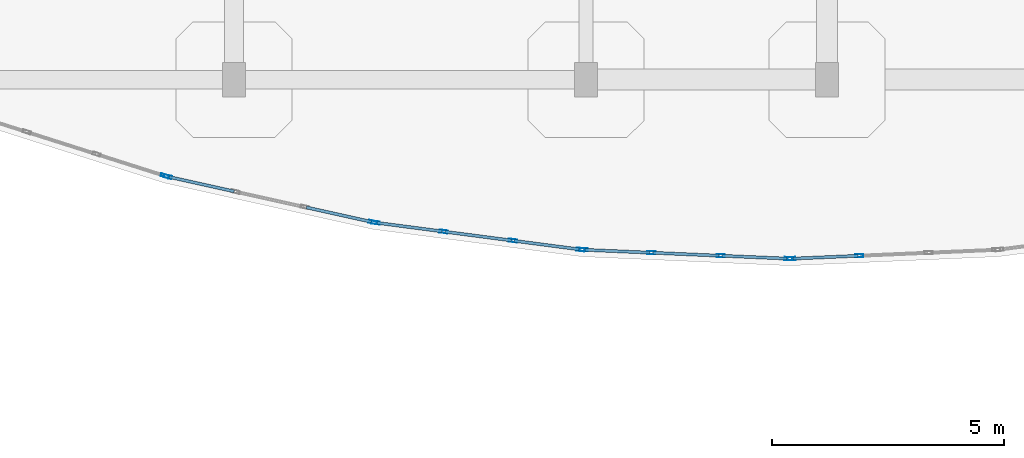
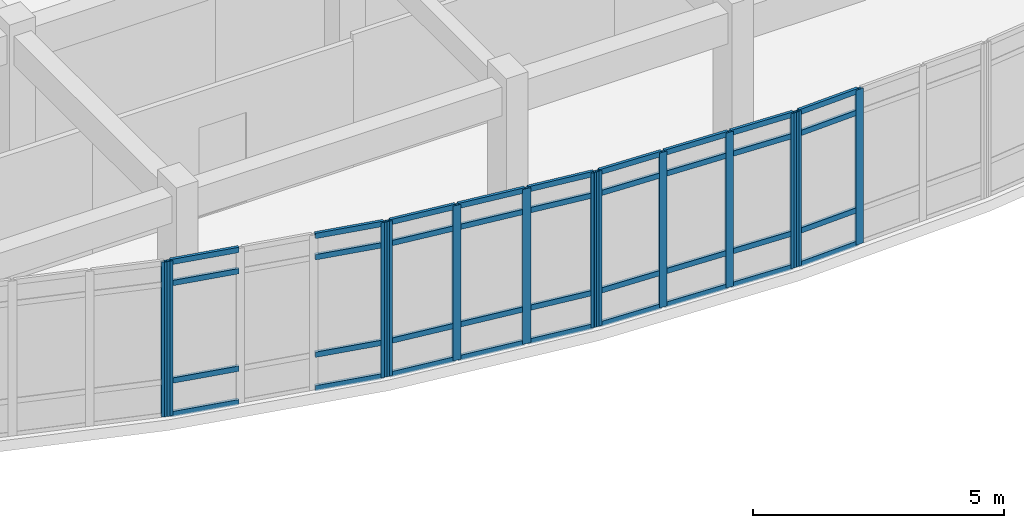
# One storey, part 52 of 91: 49 members, 5 elements without a shape of their own.
"""IFC4 building model written with IfcOpenShell, lengths in metres."""

from ifc_helpers import new_model, si_unit, direction, frame, origin, origin_2d, place, context, subcontext, project, spatial, hollow_rectangle, extrude, material, layer, layer_set, material_profile, profile_set, type_object, element, aggregate, save


model = new_model("IFC4")

# Units and contexts
model_context = context("Model", 3, precision=1e-05, world=origin(), true_north=direction((0.0, 1.0)))
body_context = subcontext(model_context, "Body", "Model", "MODEL_VIEW")
ifc_project = project(units=[si_unit("LENGTHUNIT", "METRE"), si_unit("AREAUNIT", "SQUARE_METRE"), si_unit("VOLUMEUNIT", "CUBIC_METRE"), si_unit("PLANEANGLEUNIT", "RADIAN"), si_unit("MASSUNIT", "GRAM", prefix="KILO")], contexts=[model_context])

# Site, building, storey
site_placement = place(None, origin())
site = spatial("IfcSite", under=ifc_project, at=site_placement, CompositionType="ELEMENT")
building_placement = place(site_placement, origin())
building = spatial("IfcBuilding", under=site, at=building_placement, Name="Valcora Specialist Clinic", CompositionType="ELEMENT")
storey_placement = place(building_placement, frame((0.0, 0.0, 13.60009765625)))
storey = spatial("IfcBuildingStorey", under=building, at=storey_placement, Name="L03", CompositionType="ELEMENT", Elevation=13.60009765625)

# Curtain wall, members
ifc_material = material(Name="Anodized Bronze Aluminium 6063-T6", Category="aluminium")
ifc_layer = layer(ifc_material, 0.175048828125)
ifc_layer_set = layer_set([ifc_layer], Name="Anodized Bronze Aluminium 6063-T6")
curtain_wall_type = type_object("IfcCurtainWallType", Name="TY-CW-ARC40", PredefinedType="NOTDEFINED", material=ifc_layer_set)
curtain_wall_1_placement = place(storey_placement, origin())
curtain_wall_1 = element("IfcCurtainWall", 1, at=curtain_wall_1_placement, inside=storey, type_object=curtain_wall_type, Name="Curtain wall CW-L03-120", PredefinedType="NOTDEFINED")
ifc_material_profile_1 = material_profile(ifc_material, hollow_rectangle(XDim=0.06494140625, YDim=0.175048828125, WallThickness=0.00390625, at=origin_2d()), Name="AL-MUL-65X175")
ifc_profile_set_1 = profile_set([ifc_material_profile_1], Name="Anodized Bronze Aluminium 6063-T6")
member_type_1 = type_object("IfcMemberType", Name="TY-CWM-65X175", PredefinedType="MULLION", material=ifc_profile_set_1)
member_1_placement = place(storey_placement, frame((111.895751953125, 71.0, 0.0), z_axis=(0.0, 0.0, 1.0), x_axis=(0.043306780525, -0.999061821291, 0.0)))
member_1 = element("IfcMember", 2, at=member_1_placement, type_object=member_type_1, Name="CW-ARC-40 mullion 3", PredefinedType="MULLION", context=body_context, shape_type="SweptSolid", body=[
    extrude(hollow_rectangle(XDim=0.06494140625, YDim=0.175048828125, WallThickness=0.00390625, at=origin_2d()), origin(), (0.0, 0.0, 1.0), 3.77490234375),
])
member_2_placement = place(storey_placement, frame((110.432373046875, 70.9365234375, 0.0), z_axis=(0.0, 0.0, 1.0), x_axis=(0.043306780525, -0.999061821291, 0.0)))
member_2 = element("IfcMember", 3, at=member_2_placement, type_object=member_type_1, Name="CW-ARC-40 mullion 4", PredefinedType="MULLION", context=body_context, shape_type="SweptSolid", body=[
    extrude(hollow_rectangle(XDim=0.06494140625, YDim=0.175048828125, WallThickness=0.00390625, at=origin_2d()), origin(), (0.0, 0.0, 1.0), 3.77490234375),
])

curtain_wall_2_placement = place(storey_placement, origin())
curtain_wall_2 = element("IfcCurtainWall", 4, at=curtain_wall_2_placement, inside=storey, type_object=curtain_wall_type, Name="Curtain wall CW-L03-121", PredefinedType="NOTDEFINED")
member_3_placement = place(storey_placement, frame((110.367431640625, 70.9365234375, 0.0), z_axis=(0.0, 0.0, 1.0), x_axis=(-0.043306780525, -0.999061821291, 0.0)))
member_3 = element("IfcMember", 5, at=member_3_placement, type_object=member_type_1, Name="CW-ARC-40 mullion 1", PredefinedType="MULLION", context=body_context, shape_type="SweptSolid", body=[
    extrude(hollow_rectangle(XDim=0.06494140625, YDim=0.175048828125, WallThickness=0.00390625, at=origin_2d()), origin(), (0.0, 0.0, 1.0), 3.77490234375),
])
member_4_placement = place(storey_placement, frame((108.904296875, 71.0, 0.0), z_axis=(0.0, 0.0, 1.0), x_axis=(-0.043306780525, -0.999061821291, 0.0)))
member_4 = element("IfcMember", 6, at=member_4_placement, type_object=member_type_1, Name="CW-ARC-40 mullion 2", PredefinedType="MULLION", context=body_context, shape_type="SweptSolid", body=[
    extrude(hollow_rectangle(XDim=0.06494140625, YDim=0.175048828125, WallThickness=0.00390625, at=origin_2d()), origin(), (0.0, 0.0, 1.0), 3.77490234375),
])
member_5_placement = place(storey_placement, frame((107.40869140625, 71.064697265625, 0.0), z_axis=(0.0, 0.0, 1.0), x_axis=(-0.043306780525, -0.999061821291, 0.0)))
member_5 = element("IfcMember", 7, at=member_5_placement, type_object=member_type_1, Name="CW-ARC-40 mullion 3", PredefinedType="MULLION", context=body_context, shape_type="SweptSolid", body=[
    extrude(hollow_rectangle(XDim=0.06494140625, YDim=0.175048828125, WallThickness=0.00390625, at=origin_2d()), origin(), (0.0, 0.0, 1.0), 3.77490234375),
])
member_6_placement = place(storey_placement, frame((105.945556640625, 71.128173828125, 0.0), z_axis=(0.0, 0.0, 1.0), x_axis=(-0.043306780525, -0.999061821291, 0.0)))
member_6 = element("IfcMember", 8, at=member_6_placement, type_object=member_type_1, Name="CW-ARC-40 mullion 4", PredefinedType="MULLION", context=body_context, shape_type="SweptSolid", body=[
    extrude(hollow_rectangle(XDim=0.06494140625, YDim=0.175048828125, WallThickness=0.00390625, at=origin_2d()), origin(), (0.0, 0.0, 1.0), 3.77490234375),
])

curtain_wall_3_placement = place(storey_placement, origin())
curtain_wall_3 = element("IfcCurtainWall", 9, at=curtain_wall_3_placement, inside=storey, type_object=curtain_wall_type, Name="Curtain wall CW-L03-122", PredefinedType="NOTDEFINED")
member_7_placement = place(storey_placement, frame((105.880859375, 71.1337890625, 0.0), z_axis=(0.0, 0.0, 1.0), x_axis=(-0.129999492259, -0.991514060421, 0.0)))
member_7 = element("IfcMember", 10, at=member_7_placement, type_object=member_type_1, Name="CW-ARC-40 mullion 1", PredefinedType="MULLION", context=body_context, shape_type="SweptSolid", body=[
    extrude(hollow_rectangle(XDim=0.06494140625, YDim=0.175048828125, WallThickness=0.00390625, at=origin_2d()), origin(), (0.0, 0.0, 1.0), 3.77490234375),
])
member_8_placement = place(storey_placement, frame((104.417236328125, 71.32568359375, 0.0), z_axis=(0.0, 0.0, 1.0), x_axis=(-0.129999492259, -0.991514060421, 0.0)))
member_8 = element("IfcMember", 11, at=member_8_placement, type_object=member_type_1, Name="CW-ARC-40 mullion 2", PredefinedType="MULLION", context=body_context, shape_type="SweptSolid", body=[
    extrude(hollow_rectangle(XDim=0.06494140625, YDim=0.175048828125, WallThickness=0.00390625, at=origin_2d()), origin(), (0.0, 0.0, 1.0), 3.77490234375),
])
member_9_placement = place(storey_placement, frame((102.921630859375, 71.521728515625, 0.0), z_axis=(0.0, 0.0, 1.0), x_axis=(-0.129999492259, -0.991514060421, 0.0)))
member_9 = element("IfcMember", 12, at=member_9_placement, type_object=member_type_1, Name="CW-ARC-40 mullion 3", PredefinedType="MULLION", context=body_context, shape_type="SweptSolid", body=[
    extrude(hollow_rectangle(XDim=0.06494140625, YDim=0.175048828125, WallThickness=0.00390625, at=origin_2d()), origin(), (0.0, 0.0, 1.0), 3.77490234375),
])
member_10_placement = place(storey_placement, frame((101.458251953125, 71.713623046875, 0.0), z_axis=(0.0, 0.0, 1.0), x_axis=(-0.129999492259, -0.991514060421, 0.0)))
member_10 = element("IfcMember", 13, at=member_10_placement, type_object=member_type_1, Name="CW-ARC-40 mullion 4", PredefinedType="MULLION", context=body_context, shape_type="SweptSolid", body=[
    extrude(hollow_rectangle(XDim=0.06494140625, YDim=0.175048828125, WallThickness=0.00390625, at=origin_2d()), origin(), (0.0, 0.0, 1.0), 3.77490234375),
])

curtain_wall_4_placement = place(storey_placement, origin())
curtain_wall_4 = element("IfcCurtainWall", 14, at=curtain_wall_4_placement, inside=storey, type_object=curtain_wall_type, Name="Curtain wall CW-L03-123", PredefinedType="NOTDEFINED")
member_11_placement = place(storey_placement, frame((101.394287109375, 71.724853515625, 0.0), z_axis=(0.0, 0.0, 1.0), x_axis=(-0.216518052372, -0.976278614432, 0.0)))
member_11 = element("IfcMember", 15, at=member_11_placement, type_object=member_type_1, Name="CW-ARC-40 mullion 1", PredefinedType="MULLION", context=body_context, shape_type="SweptSolid", body=[
    extrude(hollow_rectangle(XDim=0.06494140625, YDim=0.175048828125, WallThickness=0.00390625, at=origin_2d()), origin(), (0.0, 0.0, 1.0), 3.77490234375),
])
member_12_placement = place(storey_placement, frame((96.970947265625, 72.7060546875, 0.0), z_axis=(0.0, 0.0, 1.0), x_axis=(-0.216518052372, -0.976278614432, 0.0)))
member_12 = element("IfcMember", 16, at=member_12_placement, type_object=member_type_1, Name="CW-ARC-40 mullion 4", PredefinedType="MULLION", context=body_context, shape_type="SweptSolid", body=[
    extrude(hollow_rectangle(XDim=0.06494140625, YDim=0.175048828125, WallThickness=0.00390625, at=origin_2d()), origin(), (0.0, 0.0, 1.0), 3.77490234375),
])

# Curtain wall, member
curtain_wall_5_placement = place(storey_placement, origin())
curtain_wall_5 = element("IfcCurtainWall", 17, at=curtain_wall_5_placement, inside=storey, type_object=curtain_wall_type, Name="Curtain wall CW-L03-124", PredefinedType="NOTDEFINED")
member_13_placement = place(storey_placement, frame((96.908203125, 72.722900390625, 0.0), z_axis=(0.0, 0.0, 1.0), x_axis=(-0.303233270958, -0.952916356972, 0.0)))
member_13 = element("IfcMember", 18, at=member_13_placement, type_object=member_type_1, Name="CW-ARC-40 mullion 1", PredefinedType="MULLION", context=body_context, shape_type="SweptSolid", body=[
    extrude(hollow_rectangle(XDim=0.06494140625, YDim=0.175048828125, WallThickness=0.00390625, at=origin_2d()), origin(), (0.0, 0.0, 1.0), 3.77490234375),
])
aggregate(curtain_wall_5, [member_13])

# Member
ifc_material_profile_2 = material_profile(ifc_material, hollow_rectangle(XDim=0.06494140625, YDim=0.1298828125, WallThickness=0.00390625, at=origin_2d()), Name="AL-TRN-65X130")
ifc_profile_set_2 = profile_set([ifc_material_profile_2], Name="Anodized Bronze Aluminium 6063-T6")
member_type_2 = type_object("IfcMemberType", Name="TY-CWT-65X130", PredefinedType="USERDEFINED", material=ifc_profile_set_2)
member_14_placement = place(storey_placement, frame((111.86328125, 70.99853515625, 0.032470703125), z_axis=(-0.999064039995, -0.043255565977, 0.0), x_axis=(0.043255565977, -0.999064039995, 0.0)))
member_14 = element("IfcMember", 19, at=member_14_placement, type_object=member_type_2, Name="CW-ARC-40 transom 3.1", ObjectType="TRANSOM", PredefinedType="USERDEFINED", context=body_context, shape_type="SweptSolid", body=[
    extrude(hollow_rectangle(XDim=0.06494140625, YDim=0.1298828125, WallThickness=0.00390625, at=origin_2d()), origin(), (0.0, 0.0, 1.0), 1.399658203125),
])

member_15_placement = place(storey_placement, frame((111.86328125, 70.99853515625, 0.849853515625), z_axis=(-0.999064039995, -0.043255565977, 0.0), x_axis=(0.043255565977, -0.999064039995, 0.0)))
member_15 = element("IfcMember", 20, at=member_15_placement, type_object=member_type_2, Name="CW-ARC-40 transom 3.2", ObjectType="TRANSOM", PredefinedType="USERDEFINED", context=body_context, shape_type="SweptSolid", body=[
    extrude(hollow_rectangle(XDim=0.06494140625, YDim=0.1298828125, WallThickness=0.00390625, at=origin_2d()), origin(), (0.0, 0.0, 1.0), 1.399658203125),
])

member_16_placement = place(storey_placement, frame((111.86328125, 70.99853515625, 3.224853515625), z_axis=(-0.999064039995, -0.043255565977, 0.0), x_axis=(0.043255565977, -0.999064039995, 0.0)))
member_16 = element("IfcMember", 21, at=member_16_placement, type_object=member_type_2, Name="CW-ARC-40 transom 3.3", ObjectType="TRANSOM", PredefinedType="USERDEFINED", context=body_context, shape_type="SweptSolid", body=[
    extrude(hollow_rectangle(XDim=0.06494140625, YDim=0.1298828125, WallThickness=0.00390625, at=origin_2d()), origin(), (0.0, 0.0, 1.0), 1.399658203125),
])

member_17_placement = place(storey_placement, frame((111.86328125, 70.99853515625, 3.742431640625), z_axis=(-0.999064039995, -0.043255565977, 0.0), x_axis=(0.043255565977, -0.999064039995, 0.0)))
member_17 = element("IfcMember", 22, at=member_17_placement, type_object=member_type_2, Name="CW-ARC-40 transom 3.4", ObjectType="TRANSOM", PredefinedType="USERDEFINED", context=body_context, shape_type="SweptSolid", body=[
    extrude(hollow_rectangle(XDim=0.06494140625, YDim=0.1298828125, WallThickness=0.00390625, at=origin_2d()), origin(), (0.0, 0.0, 1.0), 1.399658203125),
])

aggregate(curtain_wall_1, [member_1, member_2, member_14, member_15, member_16, member_17])

member_18_placement = place(storey_placement, frame((110.3349609375, 70.93798828125, 0.032470703125), z_axis=(-0.999063713567, 0.043263104761, 0.0), x_axis=(-0.043263104761, -0.999063713567, 0.0)))
member_18 = element("IfcMember", 23, at=member_18_placement, type_object=member_type_2, Name="CW-ARC-40 transom 1.1", ObjectType="TRANSOM", PredefinedType="USERDEFINED", context=body_context, shape_type="SweptSolid", body=[
    extrude(hollow_rectangle(XDim=0.06494140625, YDim=0.1298828125, WallThickness=0.00390625, at=origin_2d()), origin(), (0.0, 0.0, 1.0), 1.3994140625),
])

member_19_placement = place(storey_placement, frame((110.3349609375, 70.93798828125, 0.849853515625), z_axis=(-0.999063713567, 0.043263104761, 0.0), x_axis=(-0.043263104761, -0.999063713567, 0.0)))
member_19 = element("IfcMember", 24, at=member_19_placement, type_object=member_type_2, Name="CW-ARC-40 transom 1.2", ObjectType="TRANSOM", PredefinedType="USERDEFINED", context=body_context, shape_type="SweptSolid", body=[
    extrude(hollow_rectangle(XDim=0.06494140625, YDim=0.1298828125, WallThickness=0.00390625, at=origin_2d()), origin(), (0.0, 0.0, 1.0), 1.3994140625),
])

member_20_placement = place(storey_placement, frame((110.3349609375, 70.93798828125, 3.224853515625), z_axis=(-0.999063713567, 0.043263104761, 0.0), x_axis=(-0.043263104761, -0.999063713567, 0.0)))
member_20 = element("IfcMember", 25, at=member_20_placement, type_object=member_type_2, Name="CW-ARC-40 transom 1.3", ObjectType="TRANSOM", PredefinedType="USERDEFINED", context=body_context, shape_type="SweptSolid", body=[
    extrude(hollow_rectangle(XDim=0.06494140625, YDim=0.1298828125, WallThickness=0.00390625, at=origin_2d()), origin(), (0.0, 0.0, 1.0), 1.3994140625),
])

member_21_placement = place(storey_placement, frame((110.3349609375, 70.93798828125, 3.742431640625), z_axis=(-0.999063713567, 0.043263104761, 0.0), x_axis=(-0.043263104761, -0.999063713567, 0.0)))
member_21 = element("IfcMember", 26, at=member_21_placement, type_object=member_type_2, Name="CW-ARC-40 transom 1.4", ObjectType="TRANSOM", PredefinedType="USERDEFINED", context=body_context, shape_type="SweptSolid", body=[
    extrude(hollow_rectangle(XDim=0.06494140625, YDim=0.1298828125, WallThickness=0.00390625, at=origin_2d()), origin(), (0.0, 0.0, 1.0), 1.3994140625),
])

member_22_placement = place(storey_placement, frame((108.871826171875, 71.001220703125, 0.032470703125), z_axis=(-0.999054549301, 0.043474216736, 0.0), x_axis=(-0.043474216736, -0.999054549301, 0.0)))
member_22 = element("IfcMember", 27, at=member_22_placement, type_object=member_type_2, Name="CW-ARC-40 transom 2.1", ObjectType="TRANSOM", PredefinedType="USERDEFINED", context=body_context, shape_type="SweptSolid", body=[
    extrude(hollow_rectangle(XDim=0.06494140625, YDim=0.1298828125, WallThickness=0.00390625, at=origin_2d()), origin(), (0.0, 0.0, 1.0), 1.43212890625),
])

member_23_placement = place(storey_placement, frame((108.871826171875, 71.001220703125, 0.849853515625), z_axis=(-0.999054549301, 0.043474216736, 0.0), x_axis=(-0.043474216736, -0.999054549301, 0.0)))
member_23 = element("IfcMember", 28, at=member_23_placement, type_object=member_type_2, Name="CW-ARC-40 transom 2.2", ObjectType="TRANSOM", PredefinedType="USERDEFINED", context=body_context, shape_type="SweptSolid", body=[
    extrude(hollow_rectangle(XDim=0.06494140625, YDim=0.1298828125, WallThickness=0.00390625, at=origin_2d()), origin(), (0.0, 0.0, 1.0), 1.43212890625),
])

member_24_placement = place(storey_placement, frame((108.871826171875, 71.001220703125, 3.224853515625), z_axis=(-0.999054549301, 0.043474216736, 0.0), x_axis=(-0.043474216736, -0.999054549301, 0.0)))
member_24 = element("IfcMember", 29, at=member_24_placement, type_object=member_type_2, Name="CW-ARC-40 transom 2.3", ObjectType="TRANSOM", PredefinedType="USERDEFINED", context=body_context, shape_type="SweptSolid", body=[
    extrude(hollow_rectangle(XDim=0.06494140625, YDim=0.1298828125, WallThickness=0.00390625, at=origin_2d()), origin(), (0.0, 0.0, 1.0), 1.43212890625),
])

member_25_placement = place(storey_placement, frame((108.871826171875, 71.001220703125, 3.742431640625), z_axis=(-0.999054549301, 0.043474216736, 0.0), x_axis=(-0.043474216736, -0.999054549301, 0.0)))
member_25 = element("IfcMember", 30, at=member_25_placement, type_object=member_type_2, Name="CW-ARC-40 transom 2.4", ObjectType="TRANSOM", PredefinedType="USERDEFINED", context=body_context, shape_type="SweptSolid", body=[
    extrude(hollow_rectangle(XDim=0.06494140625, YDim=0.1298828125, WallThickness=0.00390625, at=origin_2d()), origin(), (0.0, 0.0, 1.0), 1.43212890625),
])

member_26_placement = place(storey_placement, frame((107.376220703125, 71.066162109375, 0.032470703125), z_axis=(-0.999063713567, 0.043263104761, 0.0), x_axis=(-0.043263104761, -0.999063713567, 0.0)))
member_26 = element("IfcMember", 31, at=member_26_placement, type_object=member_type_2, Name="CW-ARC-40 transom 3.1", ObjectType="TRANSOM", PredefinedType="USERDEFINED", context=body_context, shape_type="SweptSolid", body=[
    extrude(hollow_rectangle(XDim=0.06494140625, YDim=0.1298828125, WallThickness=0.00390625, at=origin_2d()), origin(), (0.0, 0.0, 1.0), 1.3994140625),
])

member_27_placement = place(storey_placement, frame((107.376220703125, 71.066162109375, 0.849853515625), z_axis=(-0.999063713567, 0.043263104761, 0.0), x_axis=(-0.043263104761, -0.999063713567, 0.0)))
member_27 = element("IfcMember", 32, at=member_27_placement, type_object=member_type_2, Name="CW-ARC-40 transom 3.2", ObjectType="TRANSOM", PredefinedType="USERDEFINED", context=body_context, shape_type="SweptSolid", body=[
    extrude(hollow_rectangle(XDim=0.06494140625, YDim=0.1298828125, WallThickness=0.00390625, at=origin_2d()), origin(), (0.0, 0.0, 1.0), 1.3994140625),
])

member_28_placement = place(storey_placement, frame((107.376220703125, 71.066162109375, 3.224853515625), z_axis=(-0.999063713567, 0.043263104761, 0.0), x_axis=(-0.043263104761, -0.999063713567, 0.0)))
member_28 = element("IfcMember", 33, at=member_28_placement, type_object=member_type_2, Name="CW-ARC-40 transom 3.3", ObjectType="TRANSOM", PredefinedType="USERDEFINED", context=body_context, shape_type="SweptSolid", body=[
    extrude(hollow_rectangle(XDim=0.06494140625, YDim=0.1298828125, WallThickness=0.00390625, at=origin_2d()), origin(), (0.0, 0.0, 1.0), 1.3994140625),
])

member_29_placement = place(storey_placement, frame((107.376220703125, 71.066162109375, 3.742431640625), z_axis=(-0.999063713567, 0.043263104761, 0.0), x_axis=(-0.043263104761, -0.999063713567, 0.0)))
member_29 = element("IfcMember", 34, at=member_29_placement, type_object=member_type_2, Name="CW-ARC-40 transom 3.4", ObjectType="TRANSOM", PredefinedType="USERDEFINED", context=body_context, shape_type="SweptSolid", body=[
    extrude(hollow_rectangle(XDim=0.06494140625, YDim=0.1298828125, WallThickness=0.00390625, at=origin_2d()), origin(), (0.0, 0.0, 1.0), 1.3994140625),
])

aggregate(curtain_wall_2, [member_3, member_4, member_5, member_6, member_18, member_19, member_20, member_21, member_22, member_23, member_24, member_25, member_26, member_27, member_28, member_29])

member_30_placement = place(storey_placement, frame((105.8486328125, 71.137939453125, 0.032470703125), z_axis=(-0.991500752316, 0.130100953715, 0.0), x_axis=(-0.130100953715, -0.991500752316, 0.0)))
member_30 = element("IfcMember", 35, at=member_30_placement, type_object=member_type_2, Name="CW-ARC-40 transom 1.1", ObjectType="TRANSOM", PredefinedType="USERDEFINED", context=body_context, shape_type="SweptSolid", body=[
    extrude(hollow_rectangle(XDim=0.06494140625, YDim=0.1298828125, WallThickness=0.00390625, at=origin_2d()), origin(), (0.0, 0.0, 1.0), 1.4111328125),
])

member_31_placement = place(storey_placement, frame((105.8486328125, 71.137939453125, 0.849853515625), z_axis=(-0.991500752316, 0.130100953715, 0.0), x_axis=(-0.130100953715, -0.991500752316, 0.0)))
member_31 = element("IfcMember", 36, at=member_31_placement, type_object=member_type_2, Name="CW-ARC-40 transom 1.2", ObjectType="TRANSOM", PredefinedType="USERDEFINED", context=body_context, shape_type="SweptSolid", body=[
    extrude(hollow_rectangle(XDim=0.06494140625, YDim=0.1298828125, WallThickness=0.00390625, at=origin_2d()), origin(), (0.0, 0.0, 1.0), 1.4111328125),
])

member_32_placement = place(storey_placement, frame((105.8486328125, 71.137939453125, 3.224853515625), z_axis=(-0.991500752316, 0.130100953715, 0.0), x_axis=(-0.130100953715, -0.991500752316, 0.0)))
member_32 = element("IfcMember", 37, at=member_32_placement, type_object=member_type_2, Name="CW-ARC-40 transom 1.3", ObjectType="TRANSOM", PredefinedType="USERDEFINED", context=body_context, shape_type="SweptSolid", body=[
    extrude(hollow_rectangle(XDim=0.06494140625, YDim=0.1298828125, WallThickness=0.00390625, at=origin_2d()), origin(), (0.0, 0.0, 1.0), 1.4111328125),
])

member_33_placement = place(storey_placement, frame((105.8486328125, 71.137939453125, 3.742431640625), z_axis=(-0.991500752316, 0.130100953715, 0.0), x_axis=(-0.130100953715, -0.991500752316, 0.0)))
member_33 = element("IfcMember", 38, at=member_33_placement, type_object=member_type_2, Name="CW-ARC-40 transom 1.4", ObjectType="TRANSOM", PredefinedType="USERDEFINED", context=body_context, shape_type="SweptSolid", body=[
    extrude(hollow_rectangle(XDim=0.06494140625, YDim=0.1298828125, WallThickness=0.00390625, at=origin_2d()), origin(), (0.0, 0.0, 1.0), 1.4111328125),
])

member_34_placement = place(storey_placement, frame((104.385009765625, 71.329833984375, 0.032470703125), z_axis=(-0.991504882499, 0.130069473668, 0.0), x_axis=(-0.130069473668, -0.991504882499, 0.0)))
member_34 = element("IfcMember", 39, at=member_34_placement, type_object=member_type_2, Name="CW-ARC-40 transom 2.1", ObjectType="TRANSOM", PredefinedType="USERDEFINED", context=body_context, shape_type="SweptSolid", body=[
    extrude(hollow_rectangle(XDim=0.06494140625, YDim=0.1298828125, WallThickness=0.00390625, at=origin_2d()), origin(), (0.0, 0.0, 1.0), 1.443359375),
])

member_35_placement = place(storey_placement, frame((104.385009765625, 71.329833984375, 0.849853515625), z_axis=(-0.991504882499, 0.130069473668, 0.0), x_axis=(-0.130069473668, -0.991504882499, 0.0)))
member_35 = element("IfcMember", 40, at=member_35_placement, type_object=member_type_2, Name="CW-ARC-40 transom 2.2", ObjectType="TRANSOM", PredefinedType="USERDEFINED", context=body_context, shape_type="SweptSolid", body=[
    extrude(hollow_rectangle(XDim=0.06494140625, YDim=0.1298828125, WallThickness=0.00390625, at=origin_2d()), origin(), (0.0, 0.0, 1.0), 1.443359375),
])

member_36_placement = place(storey_placement, frame((104.385009765625, 71.329833984375, 3.224853515625), z_axis=(-0.991504882499, 0.130069473668, 0.0), x_axis=(-0.130069473668, -0.991504882499, 0.0)))
member_36 = element("IfcMember", 41, at=member_36_placement, type_object=member_type_2, Name="CW-ARC-40 transom 2.3", ObjectType="TRANSOM", PredefinedType="USERDEFINED", context=body_context, shape_type="SweptSolid", body=[
    extrude(hollow_rectangle(XDim=0.06494140625, YDim=0.1298828125, WallThickness=0.00390625, at=origin_2d()), origin(), (0.0, 0.0, 1.0), 1.443359375),
])

member_37_placement = place(storey_placement, frame((104.385009765625, 71.329833984375, 3.742431640625), z_axis=(-0.991504882499, 0.130069473668, 0.0), x_axis=(-0.130069473668, -0.991504882499, 0.0)))
member_37 = element("IfcMember", 42, at=member_37_placement, type_object=member_type_2, Name="CW-ARC-40 transom 2.4", ObjectType="TRANSOM", PredefinedType="USERDEFINED", context=body_context, shape_type="SweptSolid", body=[
    extrude(hollow_rectangle(XDim=0.06494140625, YDim=0.1298828125, WallThickness=0.00390625, at=origin_2d()), origin(), (0.0, 0.0, 1.0), 1.443359375),
])

member_38_placement = place(storey_placement, frame((102.889404296875, 71.526123046875, 0.032470703125), z_axis=(-0.991520133728, 0.129953162379, 0.0), x_axis=(-0.129953162379, -0.991520133728, 0.0)))
member_38 = element("IfcMember", 43, at=member_38_placement, type_object=member_type_2, Name="CW-ARC-40 transom 3.1", ObjectType="TRANSOM", PredefinedType="USERDEFINED", context=body_context, shape_type="SweptSolid", body=[
    extrude(hollow_rectangle(XDim=0.06494140625, YDim=0.1298828125, WallThickness=0.00390625, at=origin_2d()), origin(), (0.0, 0.0, 1.0), 1.410888671875),
])

member_39_placement = place(storey_placement, frame((102.889404296875, 71.526123046875, 0.849853515625), z_axis=(-0.991520133728, 0.129953162379, 0.0), x_axis=(-0.129953162379, -0.991520133728, 0.0)))
member_39 = element("IfcMember", 44, at=member_39_placement, type_object=member_type_2, Name="CW-ARC-40 transom 3.2", ObjectType="TRANSOM", PredefinedType="USERDEFINED", context=body_context, shape_type="SweptSolid", body=[
    extrude(hollow_rectangle(XDim=0.06494140625, YDim=0.1298828125, WallThickness=0.00390625, at=origin_2d()), origin(), (0.0, 0.0, 1.0), 1.410888671875),
])

member_40_placement = place(storey_placement, frame((102.889404296875, 71.526123046875, 3.224853515625), z_axis=(-0.991520133728, 0.129953162379, 0.0), x_axis=(-0.129953162379, -0.991520133728, 0.0)))
member_40 = element("IfcMember", 45, at=member_40_placement, type_object=member_type_2, Name="CW-ARC-40 transom 3.3", ObjectType="TRANSOM", PredefinedType="USERDEFINED", context=body_context, shape_type="SweptSolid", body=[
    extrude(hollow_rectangle(XDim=0.06494140625, YDim=0.1298828125, WallThickness=0.00390625, at=origin_2d()), origin(), (0.0, 0.0, 1.0), 1.410888671875),
])

member_41_placement = place(storey_placement, frame((102.889404296875, 71.526123046875, 3.742431640625), z_axis=(-0.991520133728, 0.129953162379, 0.0), x_axis=(-0.129953162379, -0.991520133728, 0.0)))
member_41 = element("IfcMember", 46, at=member_41_placement, type_object=member_type_2, Name="CW-ARC-40 transom 3.4", ObjectType="TRANSOM", PredefinedType="USERDEFINED", context=body_context, shape_type="SweptSolid", body=[
    extrude(hollow_rectangle(XDim=0.06494140625, YDim=0.1298828125, WallThickness=0.00390625, at=origin_2d()), origin(), (0.0, 0.0, 1.0), 1.410888671875),
])

aggregate(curtain_wall_3, [member_7, member_8, member_9, member_10, member_30, member_31, member_32, member_33, member_34, member_35, member_36, member_37, member_38, member_39, member_40, member_41])

member_42_placement = place(storey_placement, frame((101.362548828125, 71.73193359375, 0.032470703125), z_axis=(-0.976283078872, 0.216497921256, 0.0), x_axis=(-0.216497921256, -0.976283078872, 0.0)))
member_42 = element("IfcMember", 47, at=member_42_placement, type_object=member_type_2, Name="CW-ARC-40 transom 1.1", ObjectType="TRANSOM", PredefinedType="USERDEFINED", context=body_context, shape_type="SweptSolid", body=[
    extrude(hollow_rectangle(XDim=0.06494140625, YDim=0.1298828125, WallThickness=0.00390625, at=origin_2d()), origin(), (0.0, 0.0, 1.0), 1.434326171875),
])

member_43_placement = place(storey_placement, frame((101.362548828125, 71.73193359375, 0.849853515625), z_axis=(-0.976283078872, 0.216497921256, 0.0), x_axis=(-0.216497921256, -0.976283078872, 0.0)))
member_43 = element("IfcMember", 48, at=member_43_placement, type_object=member_type_2, Name="CW-ARC-40 transom 1.2", ObjectType="TRANSOM", PredefinedType="USERDEFINED", context=body_context, shape_type="SweptSolid", body=[
    extrude(hollow_rectangle(XDim=0.06494140625, YDim=0.1298828125, WallThickness=0.00390625, at=origin_2d()), origin(), (0.0, 0.0, 1.0), 1.434326171875),
])

member_44_placement = place(storey_placement, frame((101.362548828125, 71.73193359375, 3.224853515625), z_axis=(-0.976283078872, 0.216497921256, 0.0), x_axis=(-0.216497921256, -0.976283078872, 0.0)))
member_44 = element("IfcMember", 49, at=member_44_placement, type_object=member_type_2, Name="CW-ARC-40 transom 1.3", ObjectType="TRANSOM", PredefinedType="USERDEFINED", context=body_context, shape_type="SweptSolid", body=[
    extrude(hollow_rectangle(XDim=0.06494140625, YDim=0.1298828125, WallThickness=0.00390625, at=origin_2d()), origin(), (0.0, 0.0, 1.0), 1.434326171875),
])

member_45_placement = place(storey_placement, frame((101.362548828125, 71.73193359375, 3.742431640625), z_axis=(-0.976283078872, 0.216497921256, 0.0), x_axis=(-0.216497921256, -0.976283078872, 0.0)))
member_45 = element("IfcMember", 50, at=member_45_placement, type_object=member_type_2, Name="CW-ARC-40 transom 1.4", ObjectType="TRANSOM", PredefinedType="USERDEFINED", context=body_context, shape_type="SweptSolid", body=[
    extrude(hollow_rectangle(XDim=0.06494140625, YDim=0.1298828125, WallThickness=0.00390625, at=origin_2d()), origin(), (0.0, 0.0, 1.0), 1.434326171875),
])

member_46_placement = place(storey_placement, frame((98.403076171875, 72.388427734375, 0.032470703125), z_axis=(-0.976291054518, 0.216461952475, 0.0), x_axis=(-0.216461952475, -0.976291054518, 0.0)))
member_46 = element("IfcMember", 51, at=member_46_placement, type_object=member_type_2, Name="CW-ARC-40 transom 3.1", ObjectType="TRANSOM", PredefinedType="USERDEFINED", context=body_context, shape_type="SweptSolid", body=[
    extrude(hollow_rectangle(XDim=0.06494140625, YDim=0.1298828125, WallThickness=0.00390625, at=origin_2d()), origin(), (0.0, 0.0, 1.0), 1.4345703125),
])

member_47_placement = place(storey_placement, frame((98.403076171875, 72.388427734375, 0.849853515625), z_axis=(-0.976291054518, 0.216461952475, 0.0), x_axis=(-0.216461952475, -0.976291054518, 0.0)))
member_47 = element("IfcMember", 52, at=member_47_placement, type_object=member_type_2, Name="CW-ARC-40 transom 3.2", ObjectType="TRANSOM", PredefinedType="USERDEFINED", context=body_context, shape_type="SweptSolid", body=[
    extrude(hollow_rectangle(XDim=0.06494140625, YDim=0.1298828125, WallThickness=0.00390625, at=origin_2d()), origin(), (0.0, 0.0, 1.0), 1.4345703125),
])

member_48_placement = place(storey_placement, frame((98.403076171875, 72.388427734375, 3.224853515625), z_axis=(-0.976291054518, 0.216461952475, 0.0), x_axis=(-0.216461952475, -0.976291054518, 0.0)))
member_48 = element("IfcMember", 53, at=member_48_placement, type_object=member_type_2, Name="CW-ARC-40 transom 3.3", ObjectType="TRANSOM", PredefinedType="USERDEFINED", context=body_context, shape_type="SweptSolid", body=[
    extrude(hollow_rectangle(XDim=0.06494140625, YDim=0.1298828125, WallThickness=0.00390625, at=origin_2d()), origin(), (0.0, 0.0, 1.0), 1.4345703125),
])

member_49_placement = place(storey_placement, frame((98.403076171875, 72.388427734375, 3.742431640625), z_axis=(-0.976291054518, 0.216461952475, 0.0), x_axis=(-0.216461952475, -0.976291054518, 0.0)))
member_49 = element("IfcMember", 54, at=member_49_placement, type_object=member_type_2, Name="CW-ARC-40 transom 3.4", ObjectType="TRANSOM", PredefinedType="USERDEFINED", context=body_context, shape_type="SweptSolid", body=[
    extrude(hollow_rectangle(XDim=0.06494140625, YDim=0.1298828125, WallThickness=0.00390625, at=origin_2d()), origin(), (0.0, 0.0, 1.0), 1.4345703125),
])

aggregate(curtain_wall_4, [member_11, member_12, member_42, member_43, member_44, member_45, member_46, member_47, member_48, member_49])

save(model, "model.ifc")
